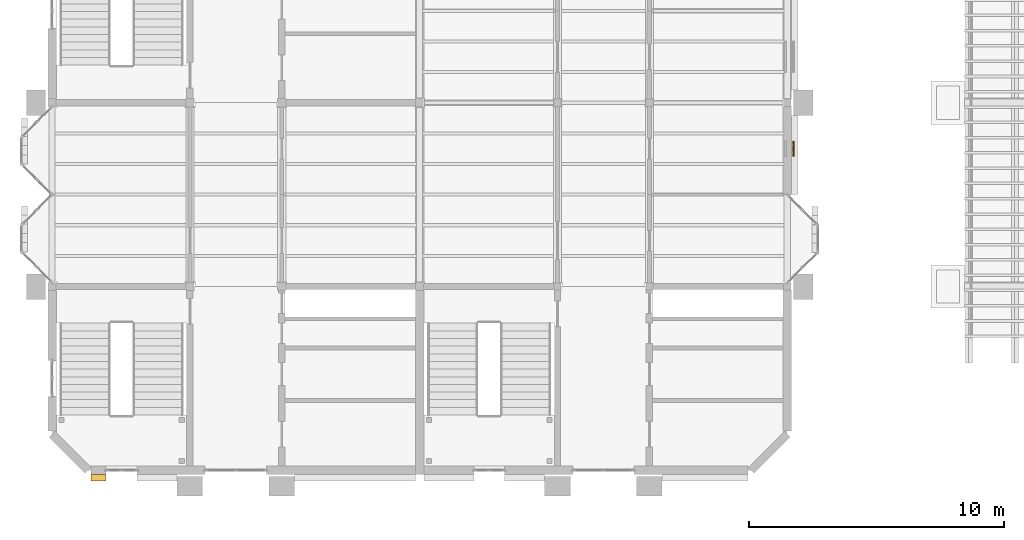
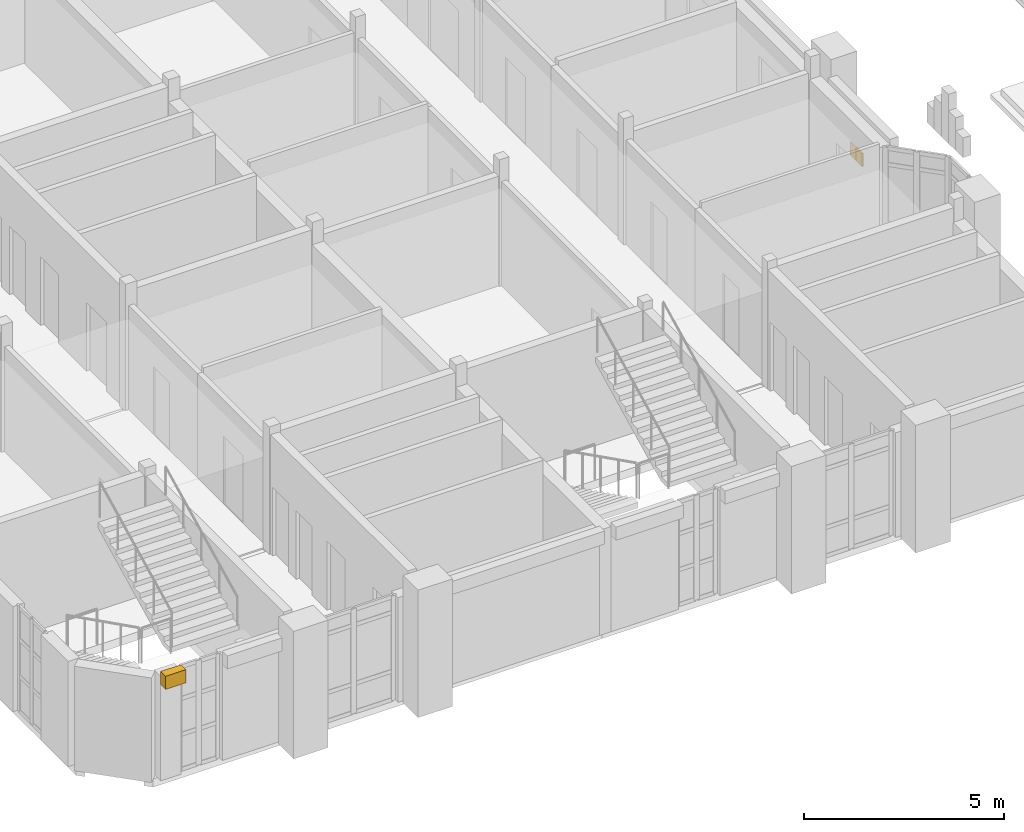
# One storey, part 68 of 71: 3 coverings.
"""IFC4 building model written with IfcOpenShell, lengths in metres."""

from ifc_helpers import new_model, si_unit, direction, frame, origin, origin_2d, place, context, subcontext, project, spatial, polyline, rectangle, outline, extrude, material, layer, layer_set, type_object, element, save


model = new_model("IFC4")

# Units and contexts
model_context = context("Model", 3, precision=1e-05, world=origin(), true_north=direction((0.0, 1.0)))
body_context = subcontext(model_context, "Body", "Model", "MODEL_VIEW")
ifc_project = project(units=[si_unit("LENGTHUNIT", "METRE"), si_unit("AREAUNIT", "SQUARE_METRE"), si_unit("VOLUMEUNIT", "CUBIC_METRE"), si_unit("PLANEANGLEUNIT", "RADIAN"), si_unit("MASSUNIT", "GRAM", prefix="KILO")], contexts=[model_context])

# Site, building, storey
site_placement = place(None, origin())
site = spatial("IfcSite", under=ifc_project, at=site_placement, CompositionType="ELEMENT")
building_placement = place(site_placement, origin())
building = spatial("IfcBuilding", under=site, at=building_placement, Name="Mazhai Court Health Centre", CompositionType="ELEMENT")
storey_placement = place(building_placement, frame((0.0, 0.0, 10.199951171875)))
storey = spatial("IfcBuildingStorey", under=building, at=storey_placement, Name="L02", CompositionType="ELEMENT", Elevation=10.199951171875)

# Coverings
ifc_material_1 = material(Name="Clay brick masonry", Category="masonry")
ifc_layer_1 = layer(ifc_material_1, 0.25)
ifc_layer_set_1 = layer_set([ifc_layer_1], Name="BRICK BAND 250")
covering_type_1 = type_object("IfcCoveringType", Name="BRICK BAND 250", PredefinedType="MOLDING", material=ifc_layer_set_1)
covering_placement = place(storey_placement, frame((0.0, 0.0, 2.949951171875)))
element("IfcCovering", 1, at=covering_placement, inside=storey, type_object=covering_type_1, Name="EB-V2-L02-Sp0-0", PredefinedType="MOLDING", context=body_context, shape_type="SweptSolid", body=[
    extrude(outline(polyline([(8.320068359375, 6.034912109375), (7.73095703125, 6.034912109375), (7.73095703125, 5.784912109375), (8.320068359375, 5.784912109375), (8.320068359375, 6.034912109375)])), origin(), (0.0, 0.0, 1.0), 0.400146484375),
])
ifc_material_2 = material(Name="Aluminium louvre", Category="aluminium")
ifc_layer_2 = layer(ifc_material_2, 0.0400390625)
ifc_layer_set_2 = layer_set([ifc_layer_2], Name="SHUTTER LEAF 600x40")
covering_type_2 = type_object("IfcCoveringType", Name="SHUTTER LEAF 600x40", PredefinedType="CLADDING", material=ifc_layer_set_2)
for number, where, z_axis, x_axis, name in (
    (2, (35.2451171875, 18.64990234375, 1.60009765625), (0.0, 0.0, 1.0), (0.0, 1.0, 0.0), "LV-V5-L02-B11a"),
    (3, (35.2451171875, 18.949951171875, 1.60009765625), (0.0, 0.0, 1.0), (0.0, 1.0, 0.0), "LV-V5-L02-B11b"),
):
    element("IfcCovering", number, at=place(storey_placement, frame(where, z_axis=z_axis, x_axis=x_axis)), inside=storey, type_object=covering_type_2, Name=name, PredefinedType="CLADDING", context=body_context, shape_type="SweptSolid", body=[
        extrude(rectangle(XDim=0.300048828125, YDim=0.0400390625, at=origin_2d()), origin(), (0.0, 0.0, 1.0), 0.39990234375),
    ])

save(model, "model.ifc")
